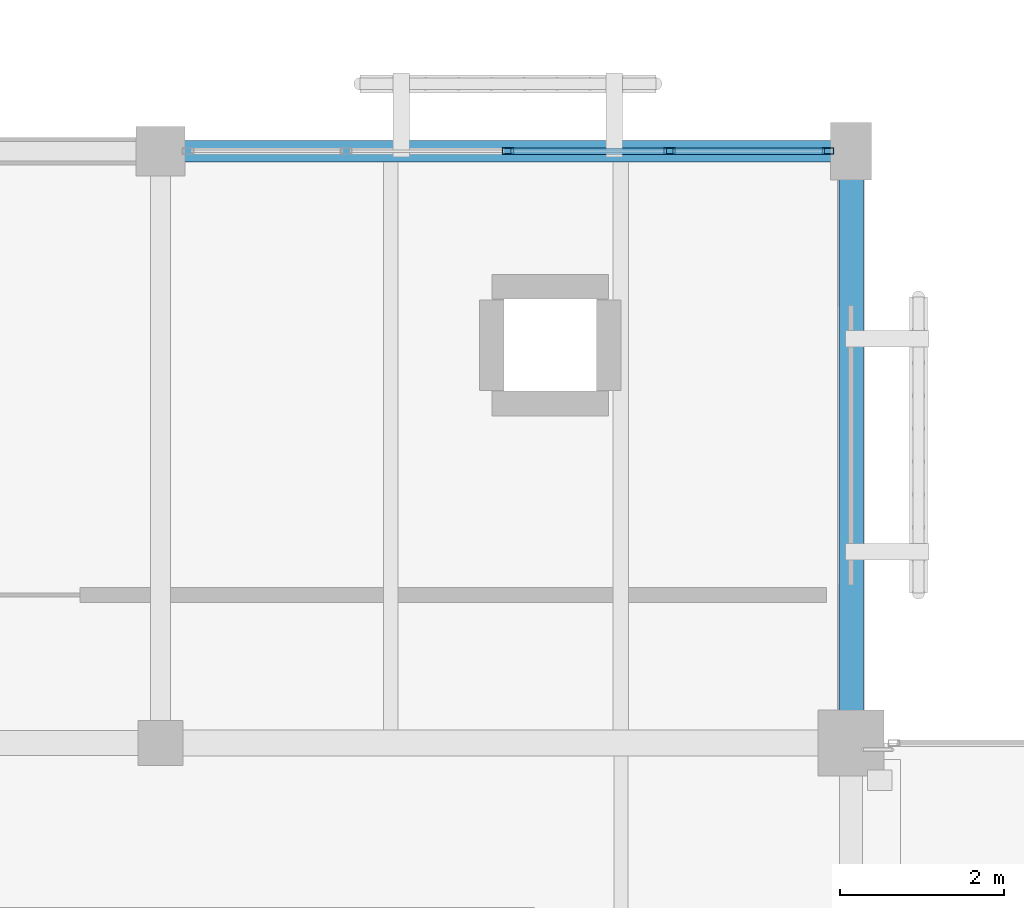
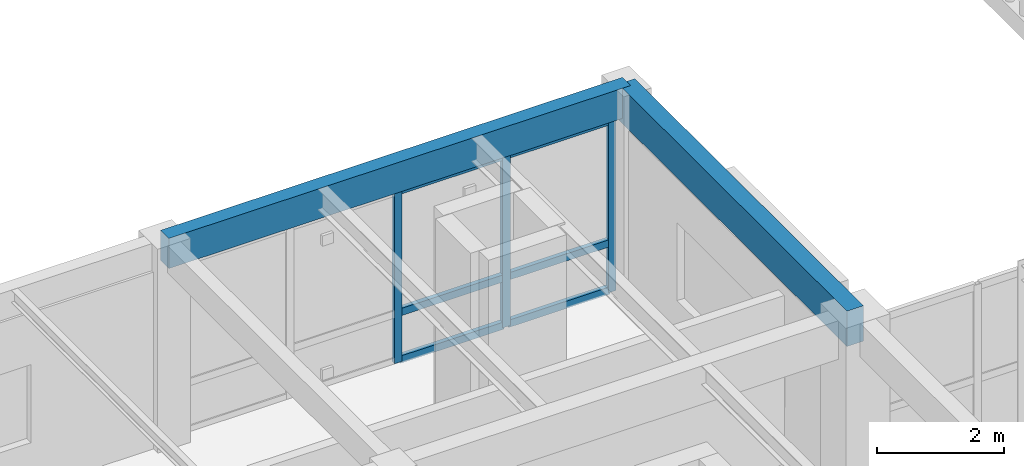
# One storey, part 56 of 170: 9 members, 2 beams, 1 element without a shape of its own.
"""IFC4 building model written with IfcOpenShell, lengths in metres."""

from ifc_helpers import new_model, si_unit, direction, frame, origin, origin_2d, place, context, subcontext, project, spatial, rectangle, hollow_rectangle, extrude, material, layer, layer_set, material_profile, profile_set, type_object, element, aggregate, save


model = new_model("IFC4")

# Units and contexts
model_context = context("Model", 3, precision=1e-05, world=origin(), true_north=direction((0.0, 1.0)))
body_context = subcontext(model_context, "Body", "Model", "MODEL_VIEW")
ifc_project = project(units=[si_unit("LENGTHUNIT", "METRE"), si_unit("AREAUNIT", "SQUARE_METRE"), si_unit("VOLUMEUNIT", "CUBIC_METRE"), si_unit("PLANEANGLEUNIT", "RADIAN"), si_unit("MASSUNIT", "GRAM", prefix="KILO")], contexts=[model_context])

# Site, building, storey
site_placement = place(None, origin())
site = spatial("IfcSite", under=ifc_project, at=site_placement, CompositionType="ELEMENT")
building_placement = place(site_placement, origin())
building = spatial("IfcBuilding", under=site, at=building_placement, Name="Mazaris Harbour Polytechnic", CompositionType="ELEMENT")
storey_placement = place(building_placement, frame((0.0, 0.0, 5.39990234375)))
storey = spatial("IfcBuildingStorey", under=building, at=storey_placement, Name="L01", CompositionType="ELEMENT", Elevation=5.39990234375)

# Curtain wall, members
ifc_material_1 = material(Name="Anodised Bronze Aluminium and Low-E Glass", Category="aluminium")
ifc_layer = layer(ifc_material_1, 0.159912109375, Name="Anodised Bronze Aluminium and Low-E Glass")
ifc_layer_set = layer_set([ifc_layer], Name="Anodised Bronze Aluminium and Low-E Glass")
curtain_wall_type = type_object("IfcCurtainWallType", Name="Cloister Court Curtain Wall", PredefinedType="NOTDEFINED", material=ifc_layer_set)
curtain_wall_placement = place(storey_placement, origin())
curtain_wall = element("IfcCurtainWall", 1, at=curtain_wall_placement, inside=storey, type_object=curtain_wall_type, Name="V3 L01 Curtain Wall 78", PredefinedType="NOTDEFINED")
ifc_material_2 = material(Name="Anodised Bronze Steel S355", Category="steel")
ifc_material_profile_1 = material_profile(ifc_material_2, hollow_rectangle(XDim=0.080078125, YDim=0.139892578125, WallThickness=0.00634765625, at=origin_2d()), Name="RHS 80x140x6.3")
ifc_profile_set_1 = profile_set([ifc_material_profile_1], Name="Anodised Bronze Steel S355")
member_type_1 = type_object("IfcMemberType", Name="Curtain Mullion RHS80x140", PredefinedType="MULLION", material=ifc_profile_set_1)
member_1_placement = place(storey_placement, frame((108.625, 36.0, 0.0), z_axis=(0.0, 0.0, 1.0), x_axis=(0.0, 1.0, 0.0)))
member_1 = element("IfcMember", 2, at=member_1_placement, type_object=member_type_1, Name="CW-02 mullion 3", PredefinedType="MULLION", context=body_context, shape_type="SweptSolid", body=[
    extrude(hollow_rectangle(XDim=0.080078125, YDim=0.139892578125, WallThickness=0.00634765625, at=origin_2d()), origin(), (0.0, 0.0, 1.0), 3.330078125),
])
member_2_placement = place(storey_placement, frame((110.591552734375, 36.0, 0.0), z_axis=(0.0, 0.0, 1.0), x_axis=(0.0, 1.0, 0.0)))
member_2 = element("IfcMember", 3, at=member_2_placement, type_object=member_type_1, Name="CW-02 mullion 4", PredefinedType="MULLION", context=body_context, shape_type="SweptSolid", body=[
    extrude(hollow_rectangle(XDim=0.080078125, YDim=0.139892578125, WallThickness=0.00634765625, at=origin_2d()), origin(), (0.0, 0.0, 1.0), 3.330078125),
])
member_3_placement = place(storey_placement, frame((112.51806640625, 36.0, 0.0), z_axis=(0.0, 0.0, 1.0), x_axis=(0.0, 1.0, 0.0)))
member_3 = element("IfcMember", 4, at=member_3_placement, type_object=member_type_1, Name="CW-02 mullion 5", PredefinedType="MULLION", context=body_context, shape_type="SweptSolid", body=[
    extrude(hollow_rectangle(XDim=0.080078125, YDim=0.139892578125, WallThickness=0.00634765625, at=origin_2d()), origin(), (0.0, 0.0, 1.0), 3.330078125),
])
ifc_material_3 = material(Name="Anodised Bronze Steel S355", Category="steel")
ifc_material_profile_2 = material_profile(ifc_material_3, hollow_rectangle(XDim=0.080078125, YDim=0.139892578125, WallThickness=0.00634765625, at=origin_2d()), Name="RHS 80x140x6.3")
ifc_profile_set_2 = profile_set([ifc_material_profile_2], Name="Anodised Bronze Steel S355")
member_type_2 = type_object("IfcMemberType", Name="Curtain Transom RHS80x140", PredefinedType="USERDEFINED", material=ifc_profile_set_2)
member_4_placement = place(storey_placement, frame((108.6650390625, 36.0, 0.0400390625), z_axis=(1.0, 0.0, 0.0), x_axis=(0.0, 1.0, 0.0)))
member_4 = element("IfcMember", 5, at=member_4_placement, type_object=member_type_2, Name="CW-02 transom 3.1", ObjectType="TRANSOM", PredefinedType="USERDEFINED", context=body_context, shape_type="SweptSolid", body=[
    extrude(hollow_rectangle(XDim=0.080078125, YDim=0.139892578125, WallThickness=0.00634765625, at=origin_2d()), origin(), (0.0, 0.0, 1.0), 1.886474609375),
])
member_5_placement = place(storey_placement, frame((108.6650390625, 36.0, 0.9501953125), z_axis=(1.0, 0.0, 0.0), x_axis=(0.0, 1.0, 0.0)))
member_5 = element("IfcMember", 6, at=member_5_placement, type_object=member_type_2, Name="CW-02 transom 3.2", ObjectType="TRANSOM", PredefinedType="USERDEFINED", context=body_context, shape_type="SweptSolid", body=[
    extrude(hollow_rectangle(XDim=0.080078125, YDim=0.139892578125, WallThickness=0.00634765625, at=origin_2d()), origin(), (0.0, 0.0, 1.0), 1.886474609375),
])
member_6_placement = place(storey_placement, frame((108.6650390625, 36.0, 3.2900390625), z_axis=(1.0, 0.0, 0.0), x_axis=(0.0, 1.0, 0.0)))
member_6 = element("IfcMember", 7, at=member_6_placement, type_object=member_type_2, Name="CW-02 transom 3.3", ObjectType="TRANSOM", PredefinedType="USERDEFINED", context=body_context, shape_type="SweptSolid", body=[
    extrude(hollow_rectangle(XDim=0.080078125, YDim=0.139892578125, WallThickness=0.00634765625, at=origin_2d()), origin(), (0.0, 0.0, 1.0), 1.886474609375),
])
member_7_placement = place(storey_placement, frame((110.631591796875, 36.0, 0.0400390625), z_axis=(1.0, 0.0, 0.0), x_axis=(0.0, 1.0, 0.0)))
member_7 = element("IfcMember", 8, at=member_7_placement, type_object=member_type_2, Name="CW-02 transom 4.1", ObjectType="TRANSOM", PredefinedType="USERDEFINED", context=body_context, shape_type="SweptSolid", body=[
    extrude(hollow_rectangle(XDim=0.080078125, YDim=0.139892578125, WallThickness=0.00634765625, at=origin_2d()), origin(), (0.0, 0.0, 1.0), 1.846435546875),
])
member_8_placement = place(storey_placement, frame((110.631591796875, 36.0, 0.9501953125), z_axis=(1.0, 0.0, 0.0), x_axis=(0.0, 1.0, 0.0)))
member_8 = element("IfcMember", 9, at=member_8_placement, type_object=member_type_2, Name="CW-02 transom 4.2", ObjectType="TRANSOM", PredefinedType="USERDEFINED", context=body_context, shape_type="SweptSolid", body=[
    extrude(hollow_rectangle(XDim=0.080078125, YDim=0.139892578125, WallThickness=0.00634765625, at=origin_2d()), origin(), (0.0, 0.0, 1.0), 1.846435546875),
])
member_9_placement = place(storey_placement, frame((110.631591796875, 36.0, 3.2900390625), z_axis=(1.0, 0.0, 0.0), x_axis=(0.0, 1.0, 0.0)))
member_9 = element("IfcMember", 10, at=member_9_placement, type_object=member_type_2, Name="CW-02 transom 4.3", ObjectType="TRANSOM", PredefinedType="USERDEFINED", context=body_context, shape_type="SweptSolid", body=[
    extrude(hollow_rectangle(XDim=0.080078125, YDim=0.139892578125, WallThickness=0.00634765625, at=origin_2d()), origin(), (0.0, 0.0, 1.0), 1.846435546875),
])
aggregate(curtain_wall, [member_1, member_2, member_3, member_4, member_5, member_6, member_7, member_8, member_9])

# Beams
ifc_material_4 = material(Name="Glulam GL32h", Category="wood")
ifc_material_profile_3 = material_profile(ifc_material_4, rectangle(XDim=0.260009765625, YDim=0.580078125, at=origin_2d()), Name="RECT260x580")
ifc_profile_set_3 = profile_set([ifc_material_profile_3], Name="Glulam GL32h")
beam_type_1 = type_object("IfcBeamType", Name="Glulam Girder 260x580 Exterior", PredefinedType="BEAM", material=ifc_profile_set_3)
beam_1_placement = place(storey_placement, frame((104.39990234375, 36.0, 3.630126953125), z_axis=(1.0, 0.0, 0.0), x_axis=(0.0, 1.0, 0.0)))
element("IfcBeam", 11, at=beam_1_placement, inside=storey, type_object=beam_type_1, Name="V3 L01 Girder 996", PredefinedType="BEAM", context=body_context, shape_type="SweptSolid", body=[
    extrude(rectangle(XDim=0.260009765625, YDim=0.580078125, at=origin_2d()), origin(), (0.0, 0.0, 1.0), 8.400146484375),
])
ifc_material_5 = material(Name="Glulam GL32h", Category="wood")
ifc_material_profile_4 = material_profile(ifc_material_5, rectangle(XDim=0.300048828125, YDim=0.679931640625, at=origin_2d()), Name="RECT300x680")
ifc_profile_set_4 = profile_set([ifc_material_profile_4], Name="Glulam GL32h")
beam_type_2 = type_object("IfcBeamType", Name="Glulam Girder 300x680 Exterior", PredefinedType="BEAM", material=ifc_profile_set_4)
beam_2_placement = place(storey_placement, frame((112.800048828125, 28.800048828125, 3.580078125), z_axis=(0.0, 1.0, 0.0), x_axis=(-1.0, 0.0, 0.0)))
element("IfcBeam", 12, at=beam_2_placement, inside=storey, type_object=beam_type_2, Name="V3 L01 Tie Girder 1018", PredefinedType="BEAM", context=body_context, shape_type="SweptSolid", body=[
    extrude(rectangle(XDim=0.300048828125, YDim=0.679931640625, at=origin_2d()), origin(), (0.0, 0.0, 1.0), 7.199951171875),
])

save(model, "model.ifc")
